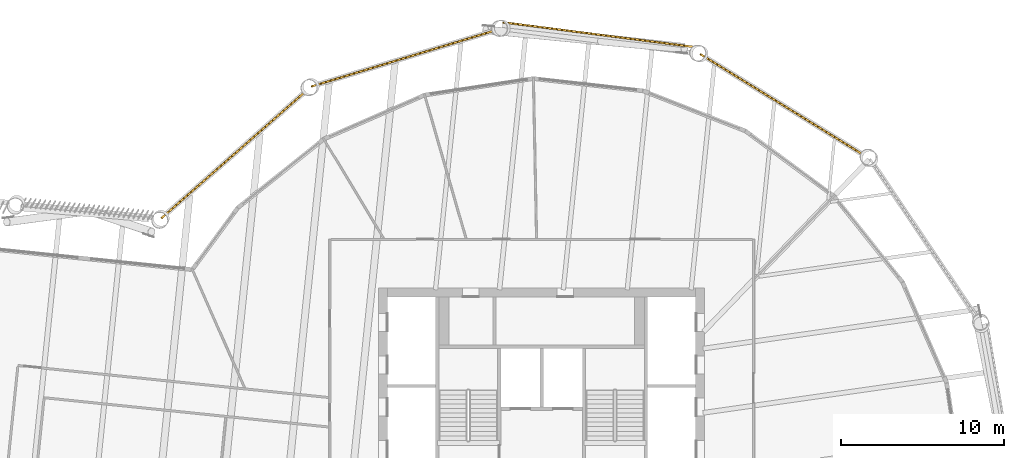
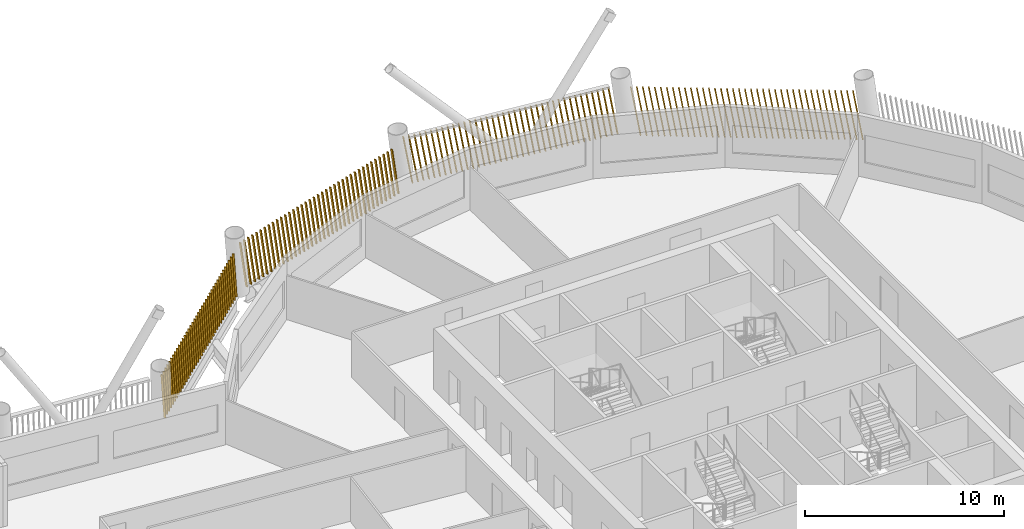
# One storey, part 21 of 22: 4 shading devices.
"""IFC4 building model written with IfcOpenShell, lengths in metres."""

from ifc_helpers import new_model, si_unit, direction, frame, frame_2d, origin, place, context, subcontext, project, spatial, rectangle, composite_profile, extrude, material, type_object, element, save


model = new_model("IFC4")

# Units and contexts
model_context = context("Model", 3, precision=1e-05, world=origin(), true_north=direction((0.0, 1.0)))
body_context = subcontext(model_context, "Body", "Model", "MODEL_VIEW")
ifc_project = project(units=[si_unit("LENGTHUNIT", "METRE"), si_unit("AREAUNIT", "SQUARE_METRE"), si_unit("VOLUMEUNIT", "CUBIC_METRE"), si_unit("PLANEANGLEUNIT", "RADIAN"), si_unit("MASSUNIT", "GRAM", prefix="KILO")], contexts=[model_context])

# Site, building, storey
site_placement = place(None, origin())
site = spatial("IfcSite", under=ifc_project, at=site_placement, CompositionType="ELEMENT")
building_placement = place(site_placement, origin())
building = spatial("IfcBuilding", under=site, at=building_placement, Name="Tarsis Ring Headquarters", CompositionType="ELEMENT")
storey_placement = place(building_placement, frame((0.0, 0.0, 263.0)))
storey = spatial("IfcBuildingStorey", under=building, at=storey_placement, Name="L61", CompositionType="ELEMENT", Elevation=263.0)

# Shading devices
ifc_material = material(Name="Terracotta baguette", Category="masonry")
shading_device_type = type_object("IfcShadingDeviceType", Name="Terracotta baguette screen", PredefinedType="USERDEFINED", material=ifc_material)
shading_device_1_placement = place(storey_placement, frame((19.709716796875, 21.20068359375, 0.0), z_axis=(0.0, 0.0, 1.0), x_axis=(-0.850724889313, 0.525609861967, 0.0)))
element("IfcShadingDevice", 1, at=shading_device_1_placement, inside=storey, type_object=shading_device_type, Name="Baguette screen L61-11", ObjectType="Terracotta baguette screen", PredefinedType="USERDEFINED", context=body_context, shape_type="SweptSolid", body=[
    extrude(composite_profile([rectangle(XDim=0.06005859375, YDim=0.1201171875, at=frame_2d((0.030029296875, 0.0))), rectangle(XDim=0.06005859375, YDim=0.1201171875, at=frame_2d((0.33251953125, 0.0))), rectangle(XDim=0.06005859375, YDim=0.1201171875, at=frame_2d((0.634765625, 0.0))), rectangle(XDim=0.06005859375, YDim=0.1201171875, at=frame_2d((0.937255859375, 0.0))), rectangle(XDim=0.06005859375, YDim=0.1201171875, at=frame_2d((1.239501953125, 0.0))), rectangle(XDim=0.06005859375, YDim=0.1201171875, at=frame_2d((1.5419921875, 0.0))), rectangle(XDim=0.06005859375, YDim=0.1201171875, at=frame_2d((1.844482421875, 0.0))), rectangle(XDim=0.06005859375, YDim=0.1201171875, at=frame_2d((2.146728515625, 0.0))), rectangle(XDim=0.06005859375, YDim=0.1201171875, at=frame_2d((2.44921875, 0.0))), rectangle(XDim=0.06005859375, YDim=0.1201171875, at=frame_2d((2.751708984375, 0.0))), rectangle(XDim=0.06005859375, YDim=0.1201171875, at=frame_2d((3.053955078125, 0.0))), rectangle(XDim=0.06005859375, YDim=0.1201171875, at=frame_2d((3.3564453125, 0.0))), rectangle(XDim=0.06005859375, YDim=0.1201171875, at=frame_2d((3.65869140625, 0.0))), rectangle(XDim=0.06005859375, YDim=0.1201171875, at=frame_2d((3.961181640625, 0.0))), rectangle(XDim=0.06005859375, YDim=0.1201171875, at=frame_2d((4.263671875, 0.0))), rectangle(XDim=0.06005859375, YDim=0.1201171875, at=frame_2d((4.56591796875, 0.0))), rectangle(XDim=0.06005859375, YDim=0.1201171875, at=frame_2d((4.868408203125, 0.0))), rectangle(XDim=0.06005859375, YDim=0.1201171875, at=frame_2d((5.1708984375, 0.0))), rectangle(XDim=0.06005859375, YDim=0.1201171875, at=frame_2d((5.47314453125, 0.0))), rectangle(XDim=0.06005859375, YDim=0.1201171875, at=frame_2d((5.775634765625, 0.0))), rectangle(XDim=0.06005859375, YDim=0.1201171875, at=frame_2d((6.077880859375, 0.0))), rectangle(XDim=0.06005859375, YDim=0.1201171875, at=frame_2d((6.38037109375, 0.0))), rectangle(XDim=0.06005859375, YDim=0.1201171875, at=frame_2d((6.682861328125, 0.0))), rectangle(XDim=0.06005859375, YDim=0.1201171875, at=frame_2d((6.985107421875, 0.0))), rectangle(XDim=0.06005859375, YDim=0.1201171875, at=frame_2d((7.28759765625, 0.0))), rectangle(XDim=0.06005859375, YDim=0.1201171875, at=frame_2d((7.590087890625, 0.0))), rectangle(XDim=0.06005859375, YDim=0.1201171875, at=frame_2d((7.892333984375, 0.0))), rectangle(XDim=0.06005859375, YDim=0.1201171875, at=frame_2d((8.19482421875, 0.0))), rectangle(XDim=0.06005859375, YDim=0.1201171875, at=frame_2d((8.4970703125, 0.0))), rectangle(XDim=0.06005859375, YDim=0.1201171875, at=frame_2d((8.799560546875, 0.0))), rectangle(XDim=0.06005859375, YDim=0.1201171875, at=frame_2d((9.10205078125, 0.0))), rectangle(XDim=0.06005859375, YDim=0.1201171875, at=frame_2d((9.404296875, 0.0))), rectangle(XDim=0.06005859375, YDim=0.1201171875, at=frame_2d((9.706787109375, 0.0))), rectangle(XDim=0.06005859375, YDim=0.1201171875, at=frame_2d((10.00927734375, 0.0))), rectangle(XDim=0.06005859375, YDim=0.1201171875, at=frame_2d((10.3115234375, 0.0))), rectangle(XDim=0.06005859375, YDim=0.1201171875, at=frame_2d((10.614013671875, 0.0))), rectangle(XDim=0.06005859375, YDim=0.1201171875, at=frame_2d((10.916259765625, 0.0))), rectangle(XDim=0.06005859375, YDim=0.1201171875, at=frame_2d((11.21875, 0.0)))]), origin(), (0.164703199721, 0.001438815095, 0.98634212412), 3.0087890625),
])
shading_device_2_placement = place(storey_placement, frame((9.2666015625, 27.81201171875, 0.0), z_axis=(0.0, 0.0, 1.0), x_axis=(-0.991752398316, 0.12820679776, 0.0)))
element("IfcShadingDevice", 2, at=shading_device_2_placement, inside=storey, type_object=shading_device_type, Name="Baguette screen L61-12", ObjectType="Terracotta baguette screen", PredefinedType="USERDEFINED", context=body_context, shape_type="SweptSolid", body=[
    extrude(composite_profile([rectangle(XDim=0.06005859375, YDim=0.1201171875, at=frame_2d((0.030029296875, 0.0))), rectangle(XDim=0.06005859375, YDim=0.1201171875, at=frame_2d((0.33251953125, 0.0))), rectangle(XDim=0.06005859375, YDim=0.1201171875, at=frame_2d((0.634765625, 0.0))), rectangle(XDim=0.06005859375, YDim=0.1201171875, at=frame_2d((0.937255859375, 0.0))), rectangle(XDim=0.06005859375, YDim=0.1201171875, at=frame_2d((1.239501953125, 0.0))), rectangle(XDim=0.06005859375, YDim=0.1201171875, at=frame_2d((1.5419921875, 0.0))), rectangle(XDim=0.06005859375, YDim=0.1201171875, at=frame_2d((1.844482421875, 0.0))), rectangle(XDim=0.06005859375, YDim=0.1201171875, at=frame_2d((2.146728515625, 0.0))), rectangle(XDim=0.06005859375, YDim=0.1201171875, at=frame_2d((2.44921875, 0.0))), rectangle(XDim=0.06005859375, YDim=0.1201171875, at=frame_2d((2.751708984375, 0.0))), rectangle(XDim=0.06005859375, YDim=0.1201171875, at=frame_2d((3.053955078125, 0.0))), rectangle(XDim=0.06005859375, YDim=0.1201171875, at=frame_2d((3.3564453125, 0.0))), rectangle(XDim=0.06005859375, YDim=0.1201171875, at=frame_2d((3.65869140625, 0.0))), rectangle(XDim=0.06005859375, YDim=0.1201171875, at=frame_2d((3.961181640625, 0.0))), rectangle(XDim=0.06005859375, YDim=0.1201171875, at=frame_2d((4.263671875, 0.0))), rectangle(XDim=0.06005859375, YDim=0.1201171875, at=frame_2d((4.56591796875, 0.0))), rectangle(XDim=0.06005859375, YDim=0.1201171875, at=frame_2d((4.868408203125, 0.0))), rectangle(XDim=0.06005859375, YDim=0.1201171875, at=frame_2d((5.1708984375, 0.0))), rectangle(XDim=0.06005859375, YDim=0.1201171875, at=frame_2d((5.47314453125, 0.0))), rectangle(XDim=0.06005859375, YDim=0.1201171875, at=frame_2d((5.775634765625, 0.0))), rectangle(XDim=0.06005859375, YDim=0.1201171875, at=frame_2d((6.077880859375, 0.0))), rectangle(XDim=0.06005859375, YDim=0.1201171875, at=frame_2d((6.38037109375, 0.0))), rectangle(XDim=0.06005859375, YDim=0.1201171875, at=frame_2d((6.682861328125, 0.0))), rectangle(XDim=0.06005859375, YDim=0.1201171875, at=frame_2d((6.985107421875, 0.0))), rectangle(XDim=0.06005859375, YDim=0.1201171875, at=frame_2d((7.28759765625, 0.0))), rectangle(XDim=0.06005859375, YDim=0.1201171875, at=frame_2d((7.590087890625, 0.0))), rectangle(XDim=0.06005859375, YDim=0.1201171875, at=frame_2d((7.892333984375, 0.0))), rectangle(XDim=0.06005859375, YDim=0.1201171875, at=frame_2d((8.19482421875, 0.0))), rectangle(XDim=0.06005859375, YDim=0.1201171875, at=frame_2d((8.4970703125, 0.0))), rectangle(XDim=0.06005859375, YDim=0.1201171875, at=frame_2d((8.799560546875, 0.0))), rectangle(XDim=0.06005859375, YDim=0.1201171875, at=frame_2d((9.10205078125, 0.0))), rectangle(XDim=0.06005859375, YDim=0.1201171875, at=frame_2d((9.404296875, 0.0))), rectangle(XDim=0.06005859375, YDim=0.1201171875, at=frame_2d((9.706787109375, 0.0))), rectangle(XDim=0.06005859375, YDim=0.1201171875, at=frame_2d((10.00927734375, 0.0))), rectangle(XDim=0.06005859375, YDim=0.1201171875, at=frame_2d((10.3115234375, 0.0))), rectangle(XDim=0.06005859375, YDim=0.1201171875, at=frame_2d((10.614013671875, 0.0))), rectangle(XDim=0.06005859375, YDim=0.1201171875, at=frame_2d((10.916259765625, 0.0))), rectangle(XDim=0.06005859375, YDim=0.1201171875, at=frame_2d((11.21875, 0.0)))]), origin(), (0.166819078178, 0.001454983001, 0.985986449288), 3.010009765625),
])
shading_device_3_placement = place(storey_placement, frame((-2.911376953125, 28.800537109375, 0.0), z_axis=(0.0, 0.0, 1.0), x_axis=(-0.95641982811, -0.291974129699, 0.0)))
element("IfcShadingDevice", 3, at=shading_device_3_placement, inside=storey, type_object=shading_device_type, Name="Baguette screen L61-13", ObjectType="Terracotta baguette screen", PredefinedType="USERDEFINED", context=body_context, shape_type="SweptSolid", body=[
    extrude(composite_profile([rectangle(XDim=0.06005859375, YDim=0.1201171875, at=frame_2d((0.030029296875, 0.0))), rectangle(XDim=0.06005859375, YDim=0.1201171875, at=frame_2d((0.33251953125, 0.0))), rectangle(XDim=0.06005859375, YDim=0.1201171875, at=frame_2d((0.634765625, 0.0))), rectangle(XDim=0.06005859375, YDim=0.1201171875, at=frame_2d((0.937255859375, 0.0))), rectangle(XDim=0.06005859375, YDim=0.1201171875, at=frame_2d((1.239501953125, 0.0))), rectangle(XDim=0.06005859375, YDim=0.1201171875, at=frame_2d((1.5419921875, 0.0))), rectangle(XDim=0.06005859375, YDim=0.1201171875, at=frame_2d((1.844482421875, 0.0))), rectangle(XDim=0.06005859375, YDim=0.1201171875, at=frame_2d((2.146728515625, 0.0))), rectangle(XDim=0.06005859375, YDim=0.1201171875, at=frame_2d((2.44921875, 0.0))), rectangle(XDim=0.06005859375, YDim=0.1201171875, at=frame_2d((2.751708984375, 0.0))), rectangle(XDim=0.06005859375, YDim=0.1201171875, at=frame_2d((3.053955078125, 0.0))), rectangle(XDim=0.06005859375, YDim=0.1201171875, at=frame_2d((3.3564453125, 0.0))), rectangle(XDim=0.06005859375, YDim=0.1201171875, at=frame_2d((3.65869140625, 0.0))), rectangle(XDim=0.06005859375, YDim=0.1201171875, at=frame_2d((3.961181640625, 0.0))), rectangle(XDim=0.06005859375, YDim=0.1201171875, at=frame_2d((4.263671875, 0.0))), rectangle(XDim=0.06005859375, YDim=0.1201171875, at=frame_2d((4.56591796875, 0.0))), rectangle(XDim=0.06005859375, YDim=0.1201171875, at=frame_2d((4.868408203125, 0.0))), rectangle(XDim=0.06005859375, YDim=0.1201171875, at=frame_2d((5.1708984375, 0.0))), rectangle(XDim=0.06005859375, YDim=0.1201171875, at=frame_2d((5.47314453125, 0.0))), rectangle(XDim=0.06005859375, YDim=0.1201171875, at=frame_2d((5.775634765625, 0.0))), rectangle(XDim=0.06005859375, YDim=0.1201171875, at=frame_2d((6.077880859375, 0.0))), rectangle(XDim=0.06005859375, YDim=0.1201171875, at=frame_2d((6.38037109375, 0.0))), rectangle(XDim=0.06005859375, YDim=0.1201171875, at=frame_2d((6.682861328125, 0.0))), rectangle(XDim=0.06005859375, YDim=0.1201171875, at=frame_2d((6.985107421875, 0.0))), rectangle(XDim=0.06005859375, YDim=0.1201171875, at=frame_2d((7.28759765625, 0.0))), rectangle(XDim=0.06005859375, YDim=0.1201171875, at=frame_2d((7.590087890625, 0.0))), rectangle(XDim=0.06005859375, YDim=0.1201171875, at=frame_2d((7.892333984375, 0.0))), rectangle(XDim=0.06005859375, YDim=0.1201171875, at=frame_2d((8.19482421875, 0.0))), rectangle(XDim=0.06005859375, YDim=0.1201171875, at=frame_2d((8.4970703125, 0.0))), rectangle(XDim=0.06005859375, YDim=0.1201171875, at=frame_2d((8.799560546875, 0.0))), rectangle(XDim=0.06005859375, YDim=0.1201171875, at=frame_2d((9.10205078125, 0.0))), rectangle(XDim=0.06005859375, YDim=0.1201171875, at=frame_2d((9.404296875, 0.0))), rectangle(XDim=0.06005859375, YDim=0.1201171875, at=frame_2d((9.706787109375, 0.0))), rectangle(XDim=0.06005859375, YDim=0.1201171875, at=frame_2d((10.00927734375, 0.0))), rectangle(XDim=0.06005859375, YDim=0.1201171875, at=frame_2d((10.3115234375, 0.0))), rectangle(XDim=0.06005859375, YDim=0.1201171875, at=frame_2d((10.614013671875, 0.0))), rectangle(XDim=0.06005859375, YDim=0.1201171875, at=frame_2d((10.916259765625, 0.0))), rectangle(XDim=0.06005859375, YDim=0.1201171875, at=frame_2d((11.21875, 0.0)))]), origin(), (0.164702432673, 0.001437304992, 0.986342254406), 3.0087890625),
])
shading_device_4_placement = place(storey_placement, frame((-14.52392578125, 25.0400390625, 0.0), z_axis=(0.0, 0.0, 1.0), x_axis=(-0.751058057515, -0.660249593055, 0.0)))
element("IfcShadingDevice", 4, at=shading_device_4_placement, inside=storey, type_object=shading_device_type, Name="Baguette screen L61-14", ObjectType="Terracotta baguette screen", PredefinedType="USERDEFINED", context=body_context, shape_type="SweptSolid", body=[
    extrude(composite_profile([rectangle(XDim=0.06005859375, YDim=0.1201171875, at=frame_2d((0.030029296875, 0.0))), rectangle(XDim=0.06005859375, YDim=0.1201171875, at=frame_2d((0.33251953125, 0.0))), rectangle(XDim=0.06005859375, YDim=0.1201171875, at=frame_2d((0.634765625, 0.0))), rectangle(XDim=0.06005859375, YDim=0.1201171875, at=frame_2d((0.937255859375, 0.0))), rectangle(XDim=0.06005859375, YDim=0.1201171875, at=frame_2d((1.239501953125, 0.0))), rectangle(XDim=0.06005859375, YDim=0.1201171875, at=frame_2d((1.5419921875, 0.0))), rectangle(XDim=0.06005859375, YDim=0.1201171875, at=frame_2d((1.844482421875, 0.0))), rectangle(XDim=0.06005859375, YDim=0.1201171875, at=frame_2d((2.146728515625, 0.0))), rectangle(XDim=0.06005859375, YDim=0.1201171875, at=frame_2d((2.44921875, 0.0))), rectangle(XDim=0.06005859375, YDim=0.1201171875, at=frame_2d((2.751708984375, 0.0))), rectangle(XDim=0.06005859375, YDim=0.1201171875, at=frame_2d((3.053955078125, 0.0))), rectangle(XDim=0.06005859375, YDim=0.1201171875, at=frame_2d((3.3564453125, 0.0))), rectangle(XDim=0.06005859375, YDim=0.1201171875, at=frame_2d((3.65869140625, 0.0))), rectangle(XDim=0.06005859375, YDim=0.1201171875, at=frame_2d((3.961181640625, 0.0))), rectangle(XDim=0.06005859375, YDim=0.1201171875, at=frame_2d((4.263671875, 0.0))), rectangle(XDim=0.06005859375, YDim=0.1201171875, at=frame_2d((4.56591796875, 0.0))), rectangle(XDim=0.06005859375, YDim=0.1201171875, at=frame_2d((4.868408203125, 0.0))), rectangle(XDim=0.06005859375, YDim=0.1201171875, at=frame_2d((5.1708984375, 0.0))), rectangle(XDim=0.06005859375, YDim=0.1201171875, at=frame_2d((5.47314453125, 0.0))), rectangle(XDim=0.06005859375, YDim=0.1201171875, at=frame_2d((5.775634765625, 0.0))), rectangle(XDim=0.06005859375, YDim=0.1201171875, at=frame_2d((6.077880859375, 0.0))), rectangle(XDim=0.06005859375, YDim=0.1201171875, at=frame_2d((6.38037109375, 0.0))), rectangle(XDim=0.06005859375, YDim=0.1201171875, at=frame_2d((6.682861328125, 0.0))), rectangle(XDim=0.06005859375, YDim=0.1201171875, at=frame_2d((6.985107421875, 0.0))), rectangle(XDim=0.06005859375, YDim=0.1201171875, at=frame_2d((7.28759765625, 0.0))), rectangle(XDim=0.06005859375, YDim=0.1201171875, at=frame_2d((7.590087890625, 0.0))), rectangle(XDim=0.06005859375, YDim=0.1201171875, at=frame_2d((7.892333984375, 0.0))), rectangle(XDim=0.06005859375, YDim=0.1201171875, at=frame_2d((8.19482421875, 0.0))), rectangle(XDim=0.06005859375, YDim=0.1201171875, at=frame_2d((8.4970703125, 0.0))), rectangle(XDim=0.06005859375, YDim=0.1201171875, at=frame_2d((8.799560546875, 0.0))), rectangle(XDim=0.06005859375, YDim=0.1201171875, at=frame_2d((9.10205078125, 0.0))), rectangle(XDim=0.06005859375, YDim=0.1201171875, at=frame_2d((9.404296875, 0.0))), rectangle(XDim=0.06005859375, YDim=0.1201171875, at=frame_2d((9.706787109375, 0.0))), rectangle(XDim=0.06005859375, YDim=0.1201171875, at=frame_2d((10.00927734375, 0.0))), rectangle(XDim=0.06005859375, YDim=0.1201171875, at=frame_2d((10.3115234375, 0.0))), rectangle(XDim=0.06005859375, YDim=0.1201171875, at=frame_2d((10.614013671875, 0.0))), rectangle(XDim=0.06005859375, YDim=0.1201171875, at=frame_2d((10.916259765625, 0.0))), rectangle(XDim=0.06005859375, YDim=0.1201171875, at=frame_2d((11.21875, 0.0)))]), origin(), (0.164704675801, 0.001438074183, 0.986341878718), 3.0087890625),
])

save(model, "model.ifc")
